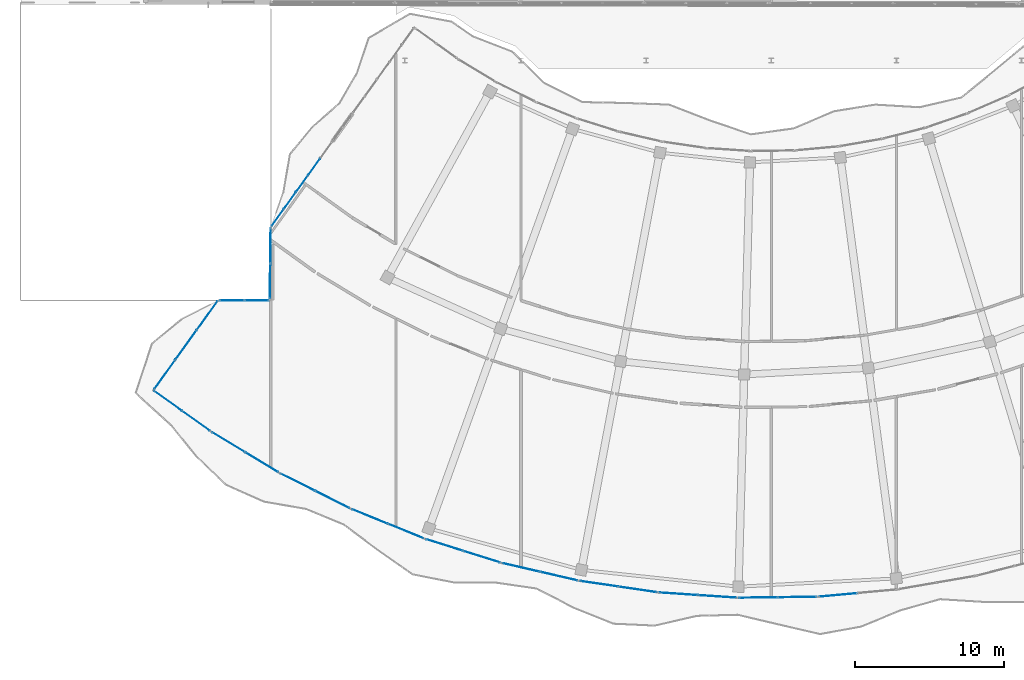
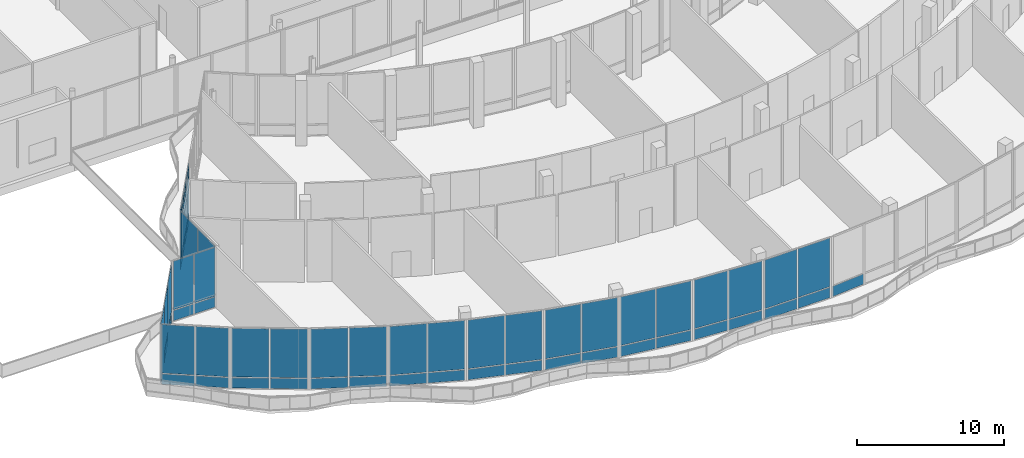
# One storey, part 119 of 158: 63 plates, 14 elements without a shape of their own.
"""IFC4 building model written with IfcOpenShell, lengths in metres."""

from ifc_helpers import new_model, si_unit, direction, frame, origin, origin_2d, place, context, subcontext, project, spatial, rectangle, extrude, material, layer, layer_set, type_object, element, aggregate, save


model = new_model("IFC4")

# Units and contexts
model_context = context("Model", 3, precision=1e-05, world=origin(), true_north=direction((0.0, 1.0)))
body_context = subcontext(model_context, "Body", "Model", "MODEL_VIEW")
ifc_project = project(units=[si_unit("LENGTHUNIT", "METRE"), si_unit("AREAUNIT", "SQUARE_METRE"), si_unit("VOLUMEUNIT", "CUBIC_METRE"), si_unit("PLANEANGLEUNIT", "RADIAN"), si_unit("MASSUNIT", "GRAM", prefix="KILO")], contexts=[model_context])

# Site, building, storey
site_placement = place(None, origin())
site = spatial("IfcSite", under=ifc_project, at=site_placement, CompositionType="ELEMENT")
building_placement = place(site_placement, origin())
building = spatial("IfcBuilding", under=site, at=building_placement, Name="Selatvlak General Hospital", CompositionType="ELEMENT")
storey_placement = place(building_placement, origin())
storey = spatial("IfcBuildingStorey", under=building, at=storey_placement, Name="L00", CompositionType="ELEMENT", Elevation=0.0)

# Curtain wall, plate
ifc_material = material(Name="Solar-control Low-E double glazing", Category="glass")
curtain_wall_type_1 = type_object("IfcCurtainWallType", Name="CW-CW-01", PredefinedType="USERDEFINED", material=ifc_material)
curtain_wall_1_placement = place(storey_placement, origin())
curtain_wall_1 = element("IfcCurtainWall", 1, at=curtain_wall_1_placement, inside=storey, type_object=curtain_wall_type_1, Name="Glazed facade curtain wall CW-L00-0053", ObjectType="UNITISED CURTAIN WALL", PredefinedType="USERDEFINED")
ifc_layer = layer(ifc_material, 0.028076171875, Name="Solar-control Low-E double glazing", Category="glass")
ifc_layer_set = layer_set([ifc_layer], Name="Solar-control Low-E double glazing")
plate_type = type_object("IfcPlateType", Name="CWP-01", PredefinedType="CURTAIN_PANEL", material=ifc_layer_set)
plate_1_placement = place(storey_placement, frame((60.891357421875, 12.217529296875, 0.06494140625), z_axis=(0.0, 0.0, 1.0), x_axis=(-0.995731988381, -0.092291967773, 0.0)))
plate_1 = element("IfcPlate", 2, at=plate_1_placement, type_object=plate_type, Name="CW-01 panel 2.1", PredefinedType="CURTAIN_PANEL", context=body_context, shape_type="SweptSolid", body=[
    extrude(rectangle(XDim=2.54638671875, YDim=0.028076171875, at=origin_2d()), origin(), (0.0, 0.0, 1.0), 0.8525390625),
])
aggregate(curtain_wall_1, [plate_1])

# Curtain wall, plates
curtain_wall_type_2 = type_object("IfcCurtainWallType", Name="CW-CW-02", PredefinedType="USERDEFINED", material=ifc_material)
curtain_wall_2_placement = place(storey_placement, origin())
curtain_wall_2 = element("IfcCurtainWall", 3, at=curtain_wall_2_placement, inside=storey, type_object=curtain_wall_type_2, Name="Glazed facade curtain wall CW-L00-0054", ObjectType="UNITISED CURTAIN WALL", PredefinedType="USERDEFINED")
plate_2_placement = place(storey_placement, frame((58.14111328125, 12.074951171875, 0.06494140625), z_axis=(0.0, 0.0, 1.0), x_axis=(-0.999919712362, -0.012671575694, 0.0)))
plate_2 = element("IfcPlate", 4, at=plate_2_placement, type_object=plate_type, Name="CW-02 panel 1.1", PredefinedType="CURTAIN_PANEL", context=body_context, shape_type="SweptSolid", body=[
    extrude(rectangle(XDim=2.546142578125, YDim=0.028076171875, at=origin_2d()), origin(), (0.0, 0.0, 1.0), 0.8525390625),
])
plate_3_placement = place(storey_placement, frame((58.14111328125, 12.074951171875, 0.982421875), z_axis=(0.0, 0.0, 1.0), x_axis=(-0.999919712362, -0.012671575694, 0.0)))
plate_3 = element("IfcPlate", 5, at=plate_3_placement, type_object=plate_type, Name="CW-02 panel 1.2", PredefinedType="CURTAIN_PANEL", context=body_context, shape_type="SweptSolid", body=[
    extrude(rectangle(XDim=2.546142578125, YDim=0.028076171875, at=origin_2d()), origin(), (0.0, 0.0, 1.0), 4.032470703125),
])
plate_4_placement = place(storey_placement, frame((55.530029296875, 12.0419921875, 0.06494140625), z_axis=(0.0, 0.0, 1.0), x_axis=(-0.999919712362, -0.012671575694, 0.0)))
plate_4 = element("IfcPlate", 6, at=plate_4_placement, type_object=plate_type, Name="CW-02 panel 2.1", PredefinedType="CURTAIN_PANEL", context=body_context, shape_type="SweptSolid", body=[
    extrude(rectangle(XDim=2.546142578125, YDim=0.028076171875, at=origin_2d()), origin(), (0.0, 0.0, 1.0), 0.8525390625),
])
plate_5_placement = place(storey_placement, frame((55.530029296875, 12.0419921875, 0.982421875), z_axis=(0.0, 0.0, 1.0), x_axis=(-0.999919712362, -0.012671575694, 0.0)))
plate_5 = element("IfcPlate", 7, at=plate_5_placement, type_object=plate_type, Name="CW-02 panel 2.2", PredefinedType="CURTAIN_PANEL", context=body_context, shape_type="SweptSolid", body=[
    extrude(rectangle(XDim=2.546142578125, YDim=0.028076171875, at=origin_2d()), origin(), (0.0, 0.0, 1.0), 4.032470703125),
])
aggregate(curtain_wall_2, [plate_2, plate_3, plate_4, plate_5])

curtain_wall_3_placement = place(storey_placement, origin())
curtain_wall_3 = element("IfcCurtainWall", 8, at=curtain_wall_3_placement, inside=storey, type_object=curtain_wall_type_1, Name="Glazed facade curtain wall CW-L00-0055", ObjectType="UNITISED CURTAIN WALL", PredefinedType="USERDEFINED")
plate_6_placement = place(storey_placement, frame((52.77734375, 12.118408203125, 0.06494140625), z_axis=(0.0, 0.0, 1.0), x_axis=(-0.997767543774, 0.066782696801, 0.0)))
plate_6 = element("IfcPlate", 9, at=plate_6_placement, type_object=plate_type, Name="CW-01 panel 1.1", PredefinedType="CURTAIN_PANEL", context=body_context, shape_type="SweptSolid", body=[
    extrude(rectangle(XDim=2.54541015625, YDim=0.028076171875, at=origin_2d()), origin(), (0.0, 0.0, 1.0), 0.8525390625),
])
plate_7_placement = place(storey_placement, frame((52.77734375, 12.118408203125, 0.982421875), z_axis=(0.0, 0.0, 1.0), x_axis=(-0.997767543774, 0.066782696801, 0.0)))
plate_7 = element("IfcPlate", 10, at=plate_7_placement, type_object=plate_type, Name="CW-01 panel 1.2", PredefinedType="CURTAIN_PANEL", context=body_context, shape_type="SweptSolid", body=[
    extrude(rectangle(XDim=2.54541015625, YDim=0.028076171875, at=origin_2d()), origin(), (0.0, 0.0, 1.0), 4.032470703125),
])
plate_8_placement = place(storey_placement, frame((50.172607421875, 12.292724609375, 0.06494140625), z_axis=(0.0, 0.0, 1.0), x_axis=(-0.997767543774, 0.066782696801, 0.0)))
plate_8 = element("IfcPlate", 11, at=plate_8_placement, type_object=plate_type, Name="CW-01 panel 2.1", PredefinedType="CURTAIN_PANEL", context=body_context, shape_type="SweptSolid", body=[
    extrude(rectangle(XDim=2.54541015625, YDim=0.028076171875, at=origin_2d()), origin(), (0.0, 0.0, 1.0), 0.8525390625),
])
plate_9_placement = place(storey_placement, frame((50.172607421875, 12.292724609375, 0.982421875), z_axis=(0.0, 0.0, 1.0), x_axis=(-0.997767543774, 0.066782696801, 0.0)))
plate_9 = element("IfcPlate", 12, at=plate_9_placement, type_object=plate_type, Name="CW-01 panel 2.2", PredefinedType="CURTAIN_PANEL", context=body_context, shape_type="SweptSolid", body=[
    extrude(rectangle(XDim=2.54541015625, YDim=0.028076171875, at=origin_2d()), origin(), (0.0, 0.0, 1.0), 4.032470703125),
])
aggregate(curtain_wall_3, [plate_6, plate_7, plate_8, plate_9])

curtain_wall_4_placement = place(storey_placement, origin())
curtain_wall_4 = element("IfcCurtainWall", 13, at=curtain_wall_4_placement, inside=storey, type_object=curtain_wall_type_2, Name="Glazed facade curtain wall CW-L00-0056", ObjectType="UNITISED CURTAIN WALL", PredefinedType="USERDEFINED")
plate_10_placement = place(storey_placement, frame((47.435302734375, 12.587158203125, 0.06494140625), z_axis=(0.0, 0.0, 1.0), x_axis=(-0.989307819732, 0.145842510319, 0.0)))
plate_10 = element("IfcPlate", 14, at=plate_10_placement, type_object=plate_type, Name="CW-02 panel 1.1", PredefinedType="CURTAIN_PANEL", context=body_context, shape_type="SweptSolid", body=[
    extrude(rectangle(XDim=2.545654296875, YDim=0.028076171875, at=origin_2d()), origin(), (0.0, 0.0, 1.0), 0.8525390625),
])
plate_11_placement = place(storey_placement, frame((47.435302734375, 12.587158203125, 0.982421875), z_axis=(0.0, 0.0, 1.0), x_axis=(-0.989307819732, 0.145842510319, 0.0)))
plate_11 = element("IfcPlate", 15, at=plate_11_placement, type_object=plate_type, Name="CW-02 panel 1.2", PredefinedType="CURTAIN_PANEL", context=body_context, shape_type="SweptSolid", body=[
    extrude(rectangle(XDim=2.545654296875, YDim=0.028076171875, at=origin_2d()), origin(), (0.0, 0.0, 1.0), 4.032470703125),
])
plate_12_placement = place(storey_placement, frame((44.8525390625, 12.9677734375, 0.06494140625), z_axis=(0.0, 0.0, 1.0), x_axis=(-0.989307819732, 0.145842510319, 0.0)))
plate_12 = element("IfcPlate", 16, at=plate_12_placement, type_object=plate_type, Name="CW-02 panel 2.1", PredefinedType="CURTAIN_PANEL", context=body_context, shape_type="SweptSolid", body=[
    extrude(rectangle(XDim=2.545654296875, YDim=0.028076171875, at=origin_2d()), origin(), (0.0, 0.0, 1.0), 0.8525390625),
])
plate_13_placement = place(storey_placement, frame((44.8525390625, 12.9677734375, 0.982421875), z_axis=(0.0, 0.0, 1.0), x_axis=(-0.989307819732, 0.145842510319, 0.0)))
plate_13 = element("IfcPlate", 17, at=plate_13_placement, type_object=plate_type, Name="CW-02 panel 2.2", PredefinedType="CURTAIN_PANEL", context=body_context, shape_type="SweptSolid", body=[
    extrude(rectangle(XDim=2.545654296875, YDim=0.028076171875, at=origin_2d()), origin(), (0.0, 0.0, 1.0), 4.032470703125),
])
aggregate(curtain_wall_4, [plate_10, plate_11, plate_12, plate_13])

curtain_wall_5_placement = place(storey_placement, origin())
curtain_wall_5 = element("IfcCurtainWall", 18, at=curtain_wall_5_placement, inside=storey, type_object=curtain_wall_type_1, Name="Glazed facade curtain wall CW-L00-0057", ObjectType="UNITISED CURTAIN WALL", PredefinedType="USERDEFINED")
plate_14_placement = place(storey_placement, frame((42.146240234375, 13.47900390625, 0.06494140625), z_axis=(0.0, 0.0, 1.0), x_axis=(-0.974553533749, 0.224154879176, 0.0)))
plate_14 = element("IfcPlate", 19, at=plate_14_placement, type_object=plate_type, Name="CW-01 panel 1.1", PredefinedType="CURTAIN_PANEL", context=body_context, shape_type="SweptSolid", body=[
    extrude(rectangle(XDim=2.545654296875, YDim=0.028076171875, at=origin_2d()), origin(), (0.0, 0.0, 1.0), 0.8525390625),
])
plate_15_placement = place(storey_placement, frame((42.146240234375, 13.47900390625, 0.982421875), z_axis=(0.0, 0.0, 1.0), x_axis=(-0.974553533749, 0.224154879176, 0.0)))
plate_15 = element("IfcPlate", 20, at=plate_15_placement, type_object=plate_type, Name="CW-01 panel 1.2", PredefinedType="CURTAIN_PANEL", context=body_context, shape_type="SweptSolid", body=[
    extrude(rectangle(XDim=2.545654296875, YDim=0.028076171875, at=origin_2d()), origin(), (0.0, 0.0, 1.0), 4.032470703125),
])
plate_16_placement = place(storey_placement, frame((39.601806640625, 14.064208984375, 0.06494140625), z_axis=(0.0, 0.0, 1.0), x_axis=(-0.974553533749, 0.224154879176, 0.0)))
plate_16 = element("IfcPlate", 21, at=plate_16_placement, type_object=plate_type, Name="CW-01 panel 2.1", PredefinedType="CURTAIN_PANEL", context=body_context, shape_type="SweptSolid", body=[
    extrude(rectangle(XDim=2.545654296875, YDim=0.028076171875, at=origin_2d()), origin(), (0.0, 0.0, 1.0), 0.8525390625),
])
plate_17_placement = place(storey_placement, frame((39.601806640625, 14.064208984375, 0.982421875), z_axis=(0.0, 0.0, 1.0), x_axis=(-0.974553533749, 0.224154879176, 0.0)))
plate_17 = element("IfcPlate", 22, at=plate_17_placement, type_object=plate_type, Name="CW-01 panel 2.2", PredefinedType="CURTAIN_PANEL", context=body_context, shape_type="SweptSolid", body=[
    extrude(rectangle(XDim=2.545654296875, YDim=0.028076171875, at=origin_2d()), origin(), (0.0, 0.0, 1.0), 4.032470703125),
])
aggregate(curtain_wall_5, [plate_14, plate_15, plate_16, plate_17])

curtain_wall_6_placement = place(storey_placement, origin())
curtain_wall_6 = element("IfcCurtainWall", 23, at=curtain_wall_6_placement, inside=storey, type_object=curtain_wall_type_2, Name="Glazed facade curtain wall CW-L00-0058", ObjectType="UNITISED CURTAIN WALL", PredefinedType="USERDEFINED")
plate_18_placement = place(storey_placement, frame((36.9453125, 14.788818359375, 0.06494140625), z_axis=(0.0, 0.0, 1.0), x_axis=(-0.953794036858, 0.30046120424, 0.0)))
plate_18 = element("IfcPlate", 24, at=plate_18_placement, type_object=plate_type, Name="CW-02 panel 1.1", PredefinedType="CURTAIN_PANEL", context=body_context, shape_type="SweptSolid", body=[
    extrude(rectangle(XDim=2.545166015625, YDim=0.028076171875, at=origin_2d()), origin(), (0.0, 0.0, 1.0), 0.8525390625),
])
plate_19_placement = place(storey_placement, frame((36.9453125, 14.788818359375, 0.982421875), z_axis=(0.0, 0.0, 1.0), x_axis=(-0.953794036858, 0.30046120424, 0.0)))
plate_19 = element("IfcPlate", 25, at=plate_19_placement, type_object=plate_type, Name="CW-02 panel 1.2", PredefinedType="CURTAIN_PANEL", context=body_context, shape_type="SweptSolid", body=[
    extrude(rectangle(XDim=2.545166015625, YDim=0.028076171875, at=origin_2d()), origin(), (0.0, 0.0, 1.0), 4.032470703125),
])
plate_20_placement = place(storey_placement, frame((34.455810546875, 15.572998046875, 0.06494140625), z_axis=(0.0, 0.0, 1.0), x_axis=(-0.953794036858, 0.30046120424, 0.0)))
plate_20 = element("IfcPlate", 26, at=plate_20_placement, type_object=plate_type, Name="CW-02 panel 2.1", PredefinedType="CURTAIN_PANEL", context=body_context, shape_type="SweptSolid", body=[
    extrude(rectangle(XDim=2.545166015625, YDim=0.028076171875, at=origin_2d()), origin(), (0.0, 0.0, 1.0), 0.8525390625),
])
plate_21_placement = place(storey_placement, frame((34.455810546875, 15.572998046875, 0.982421875), z_axis=(0.0, 0.0, 1.0), x_axis=(-0.953794036858, 0.30046120424, 0.0)))
plate_21 = element("IfcPlate", 27, at=plate_21_placement, type_object=plate_type, Name="CW-02 panel 2.2", PredefinedType="CURTAIN_PANEL", context=body_context, shape_type="SweptSolid", body=[
    extrude(rectangle(XDim=2.545166015625, YDim=0.028076171875, at=origin_2d()), origin(), (0.0, 0.0, 1.0), 4.032470703125),
])
aggregate(curtain_wall_6, [plate_18, plate_19, plate_20, plate_21])

curtain_wall_7_placement = place(storey_placement, origin())
curtain_wall_7 = element("IfcCurtainWall", 28, at=curtain_wall_7_placement, inside=storey, type_object=curtain_wall_type_1, Name="Glazed facade curtain wall CW-L00-0059", ObjectType="UNITISED CURTAIN WALL", PredefinedType="USERDEFINED")
plate_22_placement = place(storey_placement, frame((31.865966796875, 16.507080078125, 0.06494140625), z_axis=(0.0, 0.0, 1.0), x_axis=(-0.926902948145, 0.375301112069, 0.0)))
plate_22 = element("IfcPlate", 29, at=plate_22_placement, type_object=plate_type, Name="CW-01 panel 1.1", PredefinedType="CURTAIN_PANEL", context=body_context, shape_type="SweptSolid", body=[
    extrude(rectangle(XDim=2.545654296875, YDim=0.028076171875, at=origin_2d()), origin(), (0.0, 0.0, 1.0), 0.8525390625),
])
plate_23_placement = place(storey_placement, frame((31.865966796875, 16.507080078125, 0.982421875), z_axis=(0.0, 0.0, 1.0), x_axis=(-0.926902948145, 0.375301112069, 0.0)))
plate_23 = element("IfcPlate", 30, at=plate_23_placement, type_object=plate_type, Name="CW-01 panel 1.2", PredefinedType="CURTAIN_PANEL", context=body_context, shape_type="SweptSolid", body=[
    extrude(rectangle(XDim=2.545654296875, YDim=0.028076171875, at=origin_2d()), origin(), (0.0, 0.0, 1.0), 4.032470703125),
])
plate_24_placement = place(storey_placement, frame((29.446044921875, 17.48681640625, 0.06494140625), z_axis=(0.0, 0.0, 1.0), x_axis=(-0.926902948145, 0.375301112069, 0.0)))
plate_24 = element("IfcPlate", 31, at=plate_24_placement, type_object=plate_type, Name="CW-01 panel 2.1", PredefinedType="CURTAIN_PANEL", context=body_context, shape_type="SweptSolid", body=[
    extrude(rectangle(XDim=2.545654296875, YDim=0.028076171875, at=origin_2d()), origin(), (0.0, 0.0, 1.0), 0.8525390625),
])
plate_25_placement = place(storey_placement, frame((29.446044921875, 17.48681640625, 0.982421875), z_axis=(0.0, 0.0, 1.0), x_axis=(-0.926902948145, 0.375301112069, 0.0)))
plate_25 = element("IfcPlate", 32, at=plate_25_placement, type_object=plate_type, Name="CW-01 panel 2.2", PredefinedType="CURTAIN_PANEL", context=body_context, shape_type="SweptSolid", body=[
    extrude(rectangle(XDim=2.545654296875, YDim=0.028076171875, at=origin_2d()), origin(), (0.0, 0.0, 1.0), 4.032470703125),
])
aggregate(curtain_wall_7, [plate_22, plate_23, plate_24, plate_25])

curtain_wall_8_placement = place(storey_placement, origin())
curtain_wall_8 = element("IfcCurtainWall", 33, at=curtain_wall_8_placement, inside=storey, type_object=curtain_wall_type_2, Name="Glazed facade curtain wall CW-L00-0060", ObjectType="UNITISED CURTAIN WALL", PredefinedType="USERDEFINED")
plate_26_placement = place(storey_placement, frame((26.937744140625, 18.622802734375, 0.06494140625), z_axis=(0.0, 0.0, 1.0), x_axis=(-0.894237934345, 0.44759190875, 0.0)))
plate_26 = element("IfcPlate", 34, at=plate_26_placement, type_object=plate_type, Name="CW-02 panel 1.1", PredefinedType="CURTAIN_PANEL", context=body_context, shape_type="SweptSolid", body=[
    extrude(rectangle(XDim=2.545654296875, YDim=0.028076171875, at=origin_2d()), origin(), (0.0, 0.0, 1.0), 0.8525390625),
])
plate_27_placement = place(storey_placement, frame((26.937744140625, 18.622802734375, 0.982421875), z_axis=(0.0, 0.0, 1.0), x_axis=(-0.894237934345, 0.44759190875, 0.0)))
plate_27 = element("IfcPlate", 35, at=plate_27_placement, type_object=plate_type, Name="CW-02 panel 1.2", PredefinedType="CURTAIN_PANEL", context=body_context, shape_type="SweptSolid", body=[
    extrude(rectangle(XDim=2.545654296875, YDim=0.028076171875, at=origin_2d()), origin(), (0.0, 0.0, 1.0), 4.032470703125),
])
plate_28_placement = place(storey_placement, frame((24.603271484375, 19.791259765625, 0.06494140625), z_axis=(0.0, 0.0, 1.0), x_axis=(-0.894237934345, 0.44759190875, 0.0)))
plate_28 = element("IfcPlate", 36, at=plate_28_placement, type_object=plate_type, Name="CW-02 panel 2.1", PredefinedType="CURTAIN_PANEL", context=body_context, shape_type="SweptSolid", body=[
    extrude(rectangle(XDim=2.545654296875, YDim=0.028076171875, at=origin_2d()), origin(), (0.0, 0.0, 1.0), 0.8525390625),
])
plate_29_placement = place(storey_placement, frame((24.603271484375, 19.791259765625, 0.982421875), z_axis=(0.0, 0.0, 1.0), x_axis=(-0.894237934345, 0.44759190875, 0.0)))
plate_29 = element("IfcPlate", 37, at=plate_29_placement, type_object=plate_type, Name="CW-02 panel 2.2", PredefinedType="CURTAIN_PANEL", context=body_context, shape_type="SweptSolid", body=[
    extrude(rectangle(XDim=2.545654296875, YDim=0.028076171875, at=origin_2d()), origin(), (0.0, 0.0, 1.0), 4.032470703125),
])
aggregate(curtain_wall_8, [plate_26, plate_27, plate_28, plate_29])

curtain_wall_9_placement = place(storey_placement, origin())
curtain_wall_9 = element("IfcCurtainWall", 38, at=curtain_wall_9_placement, inside=storey, type_object=curtain_wall_type_1, Name="Glazed facade curtain wall CW-L00-0061", ObjectType="UNITISED CURTAIN WALL", PredefinedType="USERDEFINED")
plate_30_placement = place(storey_placement, frame((22.19287109375, 21.123291015625, 0.06494140625), z_axis=(0.0, 0.0, 1.0), x_axis=(-0.855735878163, 0.517412897815, 0.0)))
plate_30 = element("IfcPlate", 39, at=plate_30_placement, type_object=plate_type, Name="CW-01 panel 1.1", PredefinedType="CURTAIN_PANEL", context=body_context, shape_type="SweptSolid", body=[
    extrude(rectangle(XDim=2.54638671875, YDim=0.028076171875, at=origin_2d()), origin(), (0.0, 0.0, 1.0), 0.8525390625),
])
plate_31_placement = place(storey_placement, frame((22.19287109375, 21.123291015625, 0.982421875), z_axis=(0.0, 0.0, 1.0), x_axis=(-0.855735878163, 0.517412897815, 0.0)))
plate_31 = element("IfcPlate", 40, at=plate_31_placement, type_object=plate_type, Name="CW-01 panel 1.2", PredefinedType="CURTAIN_PANEL", context=body_context, shape_type="SweptSolid", body=[
    extrude(rectangle(XDim=2.54638671875, YDim=0.028076171875, at=origin_2d()), origin(), (0.0, 0.0, 1.0), 4.032470703125),
])
plate_32_placement = place(storey_placement, frame((19.958251953125, 22.474609375, 0.06494140625), z_axis=(0.0, 0.0, 1.0), x_axis=(-0.855735878163, 0.517412897815, 0.0)))
plate_32 = element("IfcPlate", 41, at=plate_32_placement, type_object=plate_type, Name="CW-01 panel 2.1", PredefinedType="CURTAIN_PANEL", context=body_context, shape_type="SweptSolid", body=[
    extrude(rectangle(XDim=2.54638671875, YDim=0.028076171875, at=origin_2d()), origin(), (0.0, 0.0, 1.0), 0.8525390625),
])
plate_33_placement = place(storey_placement, frame((19.958251953125, 22.474609375, 0.982421875), z_axis=(0.0, 0.0, 1.0), x_axis=(-0.855735878163, 0.517412897815, 0.0)))
plate_33 = element("IfcPlate", 42, at=plate_33_placement, type_object=plate_type, Name="CW-01 panel 2.2", PredefinedType="CURTAIN_PANEL", context=body_context, shape_type="SweptSolid", body=[
    extrude(rectangle(XDim=2.54638671875, YDim=0.028076171875, at=origin_2d()), origin(), (0.0, 0.0, 1.0), 4.032470703125),
])
aggregate(curtain_wall_9, [plate_30, plate_31, plate_32, plate_33])

curtain_wall_10_placement = place(storey_placement, origin())
curtain_wall_10 = element("IfcCurtainWall", 43, at=curtain_wall_10_placement, inside=storey, type_object=curtain_wall_type_2, Name="Glazed facade curtain wall CW-L00-0062", ObjectType="UNITISED CURTAIN WALL", PredefinedType="USERDEFINED")
plate_34_placement = place(storey_placement, frame((17.780029296875, 23.90478515625, 0.06494140625), z_axis=(0.0, 0.0, 1.0), x_axis=(-0.813329937847, 0.581802726189, 0.0)))
plate_34 = element("IfcPlate", 44, at=plate_34_placement, type_object=plate_type, Name="CW-02 panel 1.1", PredefinedType="CURTAIN_PANEL", context=body_context, shape_type="SweptSolid", body=[
    extrude(rectangle(XDim=2.247802734375, YDim=0.028076171875, at=origin_2d()), origin(), (0.0, 0.0, 1.0), 0.8525390625),
])
plate_35_placement = place(storey_placement, frame((17.780029296875, 23.90478515625, 0.982421875), z_axis=(0.0, 0.0, 1.0), x_axis=(-0.813329937847, 0.581802726189, 0.0)))
plate_35 = element("IfcPlate", 45, at=plate_35_placement, type_object=plate_type, Name="CW-02 panel 1.2", PredefinedType="CURTAIN_PANEL", context=body_context, shape_type="SweptSolid", body=[
    extrude(rectangle(XDim=2.247802734375, YDim=0.028076171875, at=origin_2d()), origin(), (0.0, 0.0, 1.0), 4.032470703125),
])
plate_36_placement = place(storey_placement, frame((15.89892578125, 25.250244140625, 0.06494140625), z_axis=(0.0, 0.0, 1.0), x_axis=(-0.813329937847, 0.581802726189, 0.0)))
plate_36 = element("IfcPlate", 46, at=plate_36_placement, type_object=plate_type, Name="CW-02 panel 2.1", PredefinedType="CURTAIN_PANEL", context=body_context, shape_type="SweptSolid", body=[
    extrude(rectangle(XDim=2.247802734375, YDim=0.028076171875, at=origin_2d()), origin(), (0.0, 0.0, 1.0), 0.8525390625),
])
plate_37_placement = place(storey_placement, frame((15.89892578125, 25.250244140625, 0.982421875), z_axis=(0.0, 0.0, 1.0), x_axis=(-0.813329937847, 0.581802726189, 0.0)))
plate_37 = element("IfcPlate", 47, at=plate_37_placement, type_object=plate_type, Name="CW-02 panel 2.2", PredefinedType="CURTAIN_PANEL", context=body_context, shape_type="SweptSolid", body=[
    extrude(rectangle(XDim=2.247802734375, YDim=0.028076171875, at=origin_2d()), origin(), (0.0, 0.0, 1.0), 4.032470703125),
])
aggregate(curtain_wall_10, [plate_34, plate_35, plate_36, plate_37])

curtain_wall_11_placement = place(storey_placement, origin())
curtain_wall_11 = element("IfcCurtainWall", 48, at=curtain_wall_11_placement, inside=storey, type_object=curtain_wall_type_1, Name="Glazed facade curtain wall CW-L00-0063", ObjectType="UNITISED CURTAIN WALL", PredefinedType="USERDEFINED")
plate_38_placement = place(storey_placement, frame((15.6845703125, 27.014404296875, 0.06494140625), z_axis=(0.0, 0.0, 1.0), x_axis=(0.583789827411, 0.811904820414, 0.0)))
plate_38 = element("IfcPlate", 49, at=plate_38_placement, type_object=plate_type, Name="CW-01 panel 1.1", PredefinedType="CURTAIN_PANEL", context=body_context, shape_type="SweptSolid", body=[
    extrude(rectangle(XDim=2.35888671875, YDim=0.028076171875, at=origin_2d()), origin(), (0.0, 0.0, 1.0), 0.8525390625),
])
plate_39_placement = place(storey_placement, frame((15.6845703125, 27.014404296875, 0.982421875), z_axis=(0.0, 0.0, 1.0), x_axis=(0.583789827411, 0.811904820414, 0.0)))
plate_39 = element("IfcPlate", 50, at=plate_39_placement, type_object=plate_type, Name="CW-01 panel 1.2", PredefinedType="CURTAIN_PANEL", context=body_context, shape_type="SweptSolid", body=[
    extrude(rectangle(XDim=2.35888671875, YDim=0.028076171875, at=origin_2d()), origin(), (0.0, 0.0, 1.0), 4.032470703125),
])
plate_40_placement = place(storey_placement, frame((17.10888671875, 28.99560546875, 0.06494140625), z_axis=(0.0, 0.0, 1.0), x_axis=(0.583789827411, 0.811904820414, 0.0)))
plate_40 = element("IfcPlate", 51, at=plate_40_placement, type_object=plate_type, Name="CW-01 panel 2.1", PredefinedType="CURTAIN_PANEL", context=body_context, shape_type="SweptSolid", body=[
    extrude(rectangle(XDim=2.391357421875, YDim=0.028076171875, at=origin_2d()), origin(), (0.0, 0.0, 1.0), 0.8525390625),
])
plate_41_placement = place(storey_placement, frame((17.10888671875, 28.99560546875, 0.982421875), z_axis=(0.0, 0.0, 1.0), x_axis=(0.583789827411, 0.811904820414, 0.0)))
plate_41 = element("IfcPlate", 52, at=plate_41_placement, type_object=plate_type, Name="CW-01 panel 2.2", PredefinedType="CURTAIN_PANEL", context=body_context, shape_type="SweptSolid", body=[
    extrude(rectangle(XDim=2.391357421875, YDim=0.028076171875, at=origin_2d()), origin(), (0.0, 0.0, 1.0), 4.032470703125),
])
plate_42_placement = place(storey_placement, frame((18.533447265625, 30.9765625, 0.06494140625), z_axis=(0.0, 0.0, 1.0), x_axis=(0.583789827411, 0.811904820414, 0.0)))
plate_42 = element("IfcPlate", 53, at=plate_42_placement, type_object=plate_type, Name="CW-01 panel 3.1", PredefinedType="CURTAIN_PANEL", context=body_context, shape_type="SweptSolid", body=[
    extrude(rectangle(XDim=2.35888671875, YDim=0.028076171875, at=origin_2d()), origin(), (0.0, 0.0, 1.0), 0.8525390625),
])
plate_43_placement = place(storey_placement, frame((18.533447265625, 30.9765625, 0.982421875), z_axis=(0.0, 0.0, 1.0), x_axis=(0.583789827411, 0.811904820414, 0.0)))
plate_43 = element("IfcPlate", 54, at=plate_43_placement, type_object=plate_type, Name="CW-01 panel 3.2", PredefinedType="CURTAIN_PANEL", context=body_context, shape_type="SweptSolid", body=[
    extrude(rectangle(XDim=2.35888671875, YDim=0.028076171875, at=origin_2d()), origin(), (0.0, 0.0, 1.0), 4.032470703125),
])
aggregate(curtain_wall_11, [plate_38, plate_39, plate_40, plate_41, plate_42, plate_43])

curtain_wall_12_placement = place(storey_placement, origin())
curtain_wall_12 = element("IfcCurtainWall", 55, at=curtain_wall_12_placement, inside=storey, type_object=curtain_wall_type_2, Name="Glazed facade curtain wall CW-L00-0064", ObjectType="UNITISED CURTAIN WALL", PredefinedType="USERDEFINED")
plate_44_placement = place(storey_placement, frame((20.197998046875, 31.999267578125, 0.06494140625), z_axis=(0.0, 0.0, 1.0), x_axis=(0.999999956518, 0.000294898244, 0.0)))
plate_44 = element("IfcPlate", 56, at=plate_44_placement, type_object=plate_type, Name="CW-02 panel 1.1", PredefinedType="CURTAIN_PANEL", context=body_context, shape_type="SweptSolid", body=[
    extrude(rectangle(XDim=1.597900390625, YDim=0.028076171875, at=origin_2d()), origin(), (0.0, 0.0, 1.0), 0.8525390625),
])
plate_45_placement = place(storey_placement, frame((20.197998046875, 31.999267578125, 0.982421875), z_axis=(0.0, 0.0, 1.0), x_axis=(0.999999956518, 0.000294898244, 0.0)))
plate_45 = element("IfcPlate", 57, at=plate_45_placement, type_object=plate_type, Name="CW-02 panel 1.2", PredefinedType="CURTAIN_PANEL", context=body_context, shape_type="SweptSolid", body=[
    extrude(rectangle(XDim=1.597900390625, YDim=0.028076171875, at=origin_2d()), origin(), (0.0, 0.0, 1.0), 4.032470703125),
])
plate_46_placement = place(storey_placement, frame((21.861083984375, 31.999755859375, 0.06494140625), z_axis=(0.0, 0.0, 1.0), x_axis=(0.999999956518, 0.000294898244, 0.0)))
plate_46 = element("IfcPlate", 58, at=plate_46_placement, type_object=plate_type, Name="CW-02 panel 2.1", PredefinedType="CURTAIN_PANEL", context=body_context, shape_type="SweptSolid", body=[
    extrude(rectangle(XDim=1.597900390625, YDim=0.028076171875, at=origin_2d()), origin(), (0.0, 0.0, 1.0), 0.8525390625),
])
plate_47_placement = place(storey_placement, frame((21.861083984375, 31.999755859375, 0.982421875), z_axis=(0.0, 0.0, 1.0), x_axis=(0.999999956518, 0.000294898244, 0.0)))
plate_47 = element("IfcPlate", 59, at=plate_47_placement, type_object=plate_type, Name="CW-02 panel 2.2", PredefinedType="CURTAIN_PANEL", context=body_context, shape_type="SweptSolid", body=[
    extrude(rectangle(XDim=1.597900390625, YDim=0.028076171875, at=origin_2d()), origin(), (0.0, 0.0, 1.0), 4.032470703125),
])
aggregate(curtain_wall_12, [plate_44, plate_45, plate_46, plate_47])

curtain_wall_13_placement = place(storey_placement, origin())
curtain_wall_13 = element("IfcCurtainWall", 60, at=curtain_wall_13_placement, inside=storey, type_object=curtain_wall_type_1, Name="Glazed facade curtain wall CW-L00-0065", ObjectType="UNITISED CURTAIN WALL", PredefinedType="USERDEFINED")
plate_48_placement = place(storey_placement, frame((22.755859375, 33.2880859375, 0.06494140625), z_axis=(0.0, 0.0, 1.0), x_axis=(0.012221999835, 0.999925308571, 0.0)))
plate_48 = element("IfcPlate", 61, at=plate_48_placement, type_object=plate_type, Name="CW-01 panel 1.1", PredefinedType="CURTAIN_PANEL", context=body_context, shape_type="SweptSolid", body=[
    extrude(rectangle(XDim=2.316162109375, YDim=0.028076171875, at=origin_2d()), origin(), (0.0, 0.0, 1.0), 0.8525390625),
])
plate_49_placement = place(storey_placement, frame((22.755859375, 33.2880859375, 0.982421875), z_axis=(0.0, 0.0, 1.0), x_axis=(0.012221999835, 0.999925308571, 0.0)))
plate_49 = element("IfcPlate", 62, at=plate_49_placement, type_object=plate_type, Name="CW-01 panel 1.2", PredefinedType="CURTAIN_PANEL", context=body_context, shape_type="SweptSolid", body=[
    extrude(rectangle(XDim=2.316162109375, YDim=0.028076171875, at=origin_2d()), origin(), (0.0, 0.0, 1.0), 4.032470703125),
])
plate_50_placement = place(storey_placement, frame((22.78515625, 35.6689453125, 0.06494140625), z_axis=(0.0, 0.0, 1.0), x_axis=(0.012221999835, 0.999925308571, 0.0)))
plate_50 = element("IfcPlate", 63, at=plate_50_placement, type_object=plate_type, Name="CW-01 panel 2.1", PredefinedType="CURTAIN_PANEL", context=body_context, shape_type="SweptSolid", body=[
    extrude(rectangle(XDim=2.316162109375, YDim=0.028076171875, at=origin_2d()), origin(), (0.0, 0.0, 1.0), 0.8525390625),
])
plate_51_placement = place(storey_placement, frame((22.78515625, 35.6689453125, 0.982421875), z_axis=(0.0, 0.0, 1.0), x_axis=(0.012221999835, 0.999925308571, 0.0)))
plate_51 = element("IfcPlate", 64, at=plate_51_placement, type_object=plate_type, Name="CW-01 panel 2.2", PredefinedType="CURTAIN_PANEL", context=body_context, shape_type="SweptSolid", body=[
    extrude(rectangle(XDim=2.316162109375, YDim=0.028076171875, at=origin_2d()), origin(), (0.0, 0.0, 1.0), 4.032470703125),
])
aggregate(curtain_wall_13, [plate_48, plate_49, plate_50, plate_51])

curtain_wall_14_placement = place(storey_placement, origin())
curtain_wall_14 = element("IfcCurtainWall", 65, at=curtain_wall_14_placement, inside=storey, type_object=curtain_wall_type_1, Name="Glazed facade curtain wall CW-L00-0067", ObjectType="UNITISED CURTAIN WALL", PredefinedType="USERDEFINED")
plate_52_placement = place(storey_placement, frame((23.257568359375, 37.543212890625, 0.06494140625), z_axis=(0.0, 0.0, 1.0), x_axis=(0.583929474196, 0.81180439095, 0.0)))
plate_52 = element("IfcPlate", 66, at=plate_52_placement, type_object=plate_type, Name="CW-01 panel 1.1", PredefinedType="CURTAIN_PANEL", context=body_context, shape_type="SweptSolid", body=[
    extrude(rectangle(XDim=1.306884765625, YDim=0.028076171875, at=origin_2d()), origin(), (0.0, 0.0, 1.0), 0.802490234375),
])
plate_53_placement = place(storey_placement, frame((23.257568359375, 37.543212890625, 0.9326171875), z_axis=(0.0, 0.0, 1.0), x_axis=(0.583929474196, 0.81180439095, 0.0)))
plate_53 = element("IfcPlate", 67, at=plate_53_placement, type_object=plate_type, Name="CW-01 panel 1.2", PredefinedType="CURTAIN_PANEL", context=body_context, shape_type="SweptSolid", body=[
    extrude(rectangle(XDim=1.306884765625, YDim=0.028076171875, at=origin_2d()), origin(), (0.0, 0.0, 1.0), 3.465087890625),
])
plate_54_placement = place(storey_placement, frame((23.257568359375, 37.543212890625, 4.46240234375), z_axis=(0.0, 0.0, 1.0), x_axis=(0.583929474196, 0.81180439095, 0.0)))
plate_54 = element("IfcPlate", 68, at=plate_54_placement, type_object=plate_type, Name="CW-01 panel 1.3", PredefinedType="CURTAIN_PANEL", context=body_context, shape_type="SweptSolid", body=[
    extrude(rectangle(XDim=1.306884765625, YDim=0.028076171875, at=origin_2d()), origin(), (0.0, 0.0, 1.0), 0.552490234375),
])
plate_55_placement = place(storey_placement, frame((24.068115234375, 38.669921875, 0.06494140625), z_axis=(0.0, 0.0, 1.0), x_axis=(0.583929474196, 0.81180439095, 0.0)))
plate_55 = element("IfcPlate", 69, at=plate_55_placement, type_object=plate_type, Name="CW-01 panel 2.1", PredefinedType="CURTAIN_PANEL", context=body_context, shape_type="SweptSolid", body=[
    extrude(rectangle(XDim=1.33935546875, YDim=0.028076171875, at=origin_2d()), origin(), (0.0, 0.0, 1.0), 0.802490234375),
])
plate_56_placement = place(storey_placement, frame((24.068115234375, 38.669921875, 0.9326171875), z_axis=(0.0, 0.0, 1.0), x_axis=(0.583929474196, 0.81180439095, 0.0)))
plate_56 = element("IfcPlate", 70, at=plate_56_placement, type_object=plate_type, Name="CW-01 panel 2.2", PredefinedType="CURTAIN_PANEL", context=body_context, shape_type="SweptSolid", body=[
    extrude(rectangle(XDim=1.33935546875, YDim=0.028076171875, at=origin_2d()), origin(), (0.0, 0.0, 1.0), 3.465087890625),
])
plate_57_placement = place(storey_placement, frame((24.068115234375, 38.669921875, 4.46240234375), z_axis=(0.0, 0.0, 1.0), x_axis=(0.583929474196, 0.81180439095, 0.0)))
plate_57 = element("IfcPlate", 71, at=plate_57_placement, type_object=plate_type, Name="CW-01 panel 2.3", PredefinedType="CURTAIN_PANEL", context=body_context, shape_type="SweptSolid", body=[
    extrude(rectangle(XDim=1.33935546875, YDim=0.028076171875, at=origin_2d()), origin(), (0.0, 0.0, 1.0), 0.552490234375),
])
plate_58_placement = place(storey_placement, frame((24.887939453125, 39.81005859375, 0.06494140625), z_axis=(0.0, 0.0, 1.0), x_axis=(0.583929474196, 0.81180439095, 0.0)))
plate_58 = element("IfcPlate", 72, at=plate_58_placement, type_object=plate_type, Name="CW-01 panel 3.1", PredefinedType="CURTAIN_PANEL", context=body_context, shape_type="SweptSolid", body=[
    extrude(rectangle(XDim=1.33935546875, YDim=0.028076171875, at=origin_2d()), origin(), (0.0, 0.0, 1.0), 0.802490234375),
])
plate_59_placement = place(storey_placement, frame((24.887939453125, 39.81005859375, 0.9326171875), z_axis=(0.0, 0.0, 1.0), x_axis=(0.583929474196, 0.81180439095, 0.0)))
plate_59 = element("IfcPlate", 73, at=plate_59_placement, type_object=plate_type, Name="CW-01 panel 3.2", PredefinedType="CURTAIN_PANEL", context=body_context, shape_type="SweptSolid", body=[
    extrude(rectangle(XDim=1.33935546875, YDim=0.028076171875, at=origin_2d()), origin(), (0.0, 0.0, 1.0), 3.465087890625),
])
plate_60_placement = place(storey_placement, frame((24.887939453125, 39.81005859375, 4.46240234375), z_axis=(0.0, 0.0, 1.0), x_axis=(0.583929474196, 0.81180439095, 0.0)))
plate_60 = element("IfcPlate", 74, at=plate_60_placement, type_object=plate_type, Name="CW-01 panel 3.3", PredefinedType="CURTAIN_PANEL", context=body_context, shape_type="SweptSolid", body=[
    extrude(rectangle(XDim=1.33935546875, YDim=0.028076171875, at=origin_2d()), origin(), (0.0, 0.0, 1.0), 0.552490234375),
])
plate_61_placement = place(storey_placement, frame((25.7080078125, 40.949951171875, 0.06494140625), z_axis=(0.0, 0.0, 1.0), x_axis=(0.583929474196, 0.81180439095, 0.0)))
plate_61 = element("IfcPlate", 75, at=plate_61_placement, type_object=plate_type, Name="CW-01 panel 4.1", PredefinedType="CURTAIN_PANEL", context=body_context, shape_type="SweptSolid", body=[
    extrude(rectangle(XDim=1.33935546875, YDim=0.028076171875, at=origin_2d()), origin(), (0.0, 0.0, 1.0), 0.802490234375),
])
plate_62_placement = place(storey_placement, frame((25.7080078125, 40.949951171875, 0.9326171875), z_axis=(0.0, 0.0, 1.0), x_axis=(0.583929474196, 0.81180439095, 0.0)))
plate_62 = element("IfcPlate", 76, at=plate_62_placement, type_object=plate_type, Name="CW-01 panel 4.2", PredefinedType="CURTAIN_PANEL", context=body_context, shape_type="SweptSolid", body=[
    extrude(rectangle(XDim=1.33935546875, YDim=0.028076171875, at=origin_2d()), origin(), (0.0, 0.0, 1.0), 3.465087890625),
])
plate_63_placement = place(storey_placement, frame((25.7080078125, 40.949951171875, 4.46240234375), z_axis=(0.0, 0.0, 1.0), x_axis=(0.583929474196, 0.81180439095, 0.0)))
plate_63 = element("IfcPlate", 77, at=plate_63_placement, type_object=plate_type, Name="CW-01 panel 4.3", PredefinedType="CURTAIN_PANEL", context=body_context, shape_type="SweptSolid", body=[
    extrude(rectangle(XDim=1.33935546875, YDim=0.028076171875, at=origin_2d()), origin(), (0.0, 0.0, 1.0), 0.552490234375),
])
aggregate(curtain_wall_14, [plate_52, plate_53, plate_54, plate_55, plate_56, plate_57, plate_58, plate_59, plate_60, plate_61, plate_62, plate_63])

save(model, "model.ifc")
